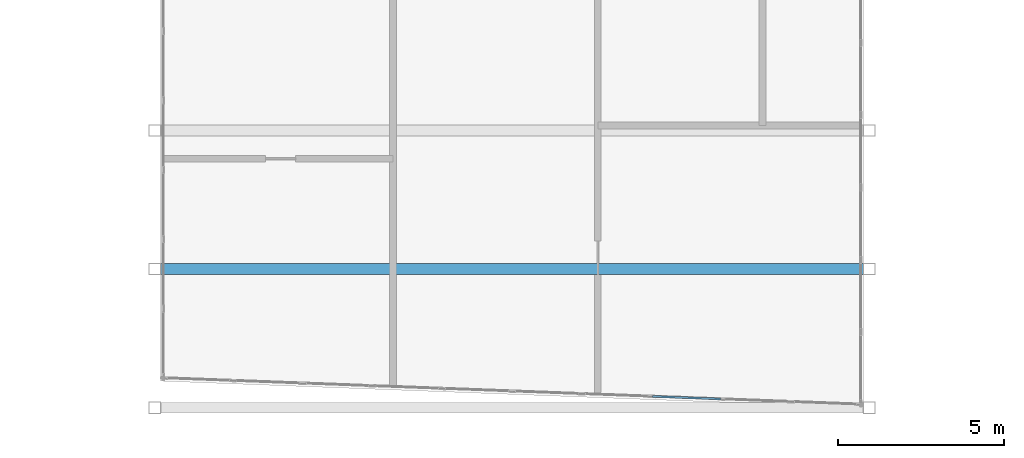
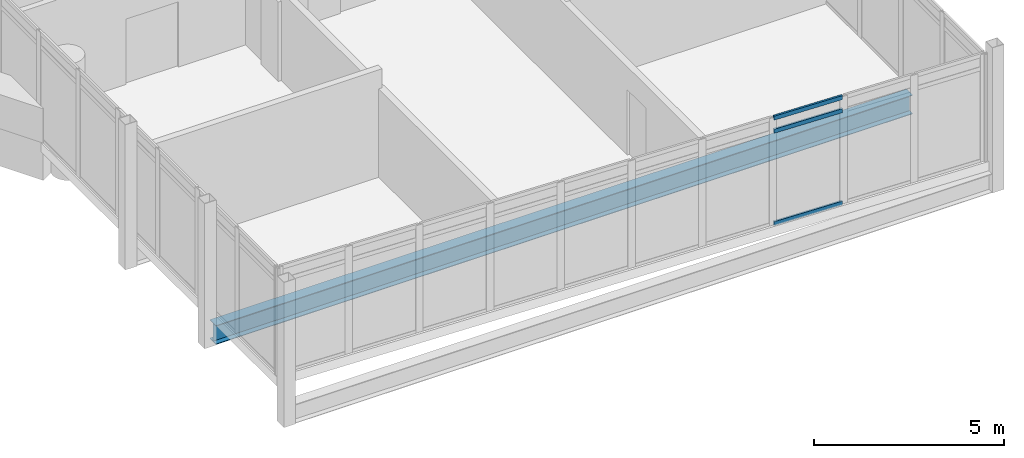
# One storey, part 5 of 25: 3 members, 1 beam, 1 element without a shape of its own.
"""IFC4 building model written with IfcOpenShell, lengths in metres."""

import ifcopenshell
import ifcopenshell.guid

model = None  # the IFC model being written
_history = None  # IfcOwnerHistory: only IFC2X3 demands one
_inside = {}  # id of a spatial element -> (the spatial element, [elements in it])
_under = {}  # id of a project, library or spatial element -> (it, [spatial elements below it])
_declared = {}  # id of a project -> (the project, [libraries it declares])
_typed = {}  # id of a type object -> (the type object, [elements of that type])
_made_of = {}  # id of a material, layer set ... -> (it, [elements and type objects made of it])


def new_model(schema):
    """Start an empty IFC model of exactly this schema.

    Asked for "IFC4X3", IfcOpenShell would pick the latest addendum, in which some entities
    have other attributes; the version numbers below select the first issue.
    IFC2X3 requires an IfcOwnerHistory on every rooted entity: one is made here for all.
    """
    global model, _history
    if schema == "IFC4X3":
        model = ifcopenshell.file(schema_version=(4, 3, 0, 0))
    else:
        model = ifcopenshell.file(schema=schema)
    _inside.clear()
    _under.clear()
    _declared.clear()
    _typed.clear()
    _made_of.clear()
    _history = None
    if model.schema == "IFC2X3":
        org = make("IfcOrganization", Name="unknown")
        user = make(
            "IfcPersonAndOrganization",
            ThePerson=make("IfcPerson", FamilyName="unknown"),
            TheOrganization=org,
        )
        app = make(
            "IfcApplication",
            ApplicationDeveloper=org,
            Version="unknown",
            ApplicationFullName="unknown",
            ApplicationIdentifier="unknown",
        )
        _history = make(
            "IfcOwnerHistory",
            OwningUser=user,
            OwningApplication=app,
            ChangeAction="ADDED",
            CreationDate=0,
        )
    return model


def make(cls, **values):
    """One entity of the class cls with the attributes given. An attribute that is None is left unset."""
    return model.create_entity(
        cls, **{name: value for name, value in values.items() if value is not None}
    )


def rooted(cls, **values):
    """An entity with a GlobalId (a new one), such as an element, a storey or a relation."""
    return make(cls, GlobalId=ifcopenshell.guid.new(), OwnerHistory=_history, **values)


def si_unit(unit_type, name, prefix=None):
    """IfcSIUnit, for example si_unit("LENGTHUNIT", "METRE", prefix="MILLI")."""
    return make("IfcSIUnit", UnitType=unit_type, Prefix=prefix, Name=name)


def assignment(units):
    """IfcUnitAssignment: the units of a project."""
    return None if units is None else make("IfcUnitAssignment", Units=units)


def point(xyz):
    """IfcCartesianPoint."""
    return None if xyz is None else make("IfcCartesianPoint", Coordinates=xyz)


def direction(xyz):
    """IfcDirection."""
    return None if xyz is None else make("IfcDirection", DirectionRatios=xyz)


def frame(location, z_axis=None, x_axis=None):
    """IfcAxis2Placement3D, a coordinate frame: its origin and axes. An axis left out is left unset."""
    return make(
        "IfcAxis2Placement3D",
        Location=point(location),
        Axis=direction(z_axis),
        RefDirection=direction(x_axis),
    )


def frame_2d(location, x_axis=None):
    """IfcAxis2Placement2D, a coordinate frame in the plane: its origin and x axis."""
    return make(
        "IfcAxis2Placement2D", Location=point(location), RefDirection=direction(x_axis)
    )


def origin():
    """The frame at (0, 0, 0) with its axes left unset."""
    return frame((0.0, 0.0, 0.0))


def origin_2d():
    """The frame at (0, 0) in the plane with its x axis left unset."""
    return frame_2d((0.0, 0.0))


def place(relative_to, where):
    """IfcLocalPlacement: puts the frame where relative to a parent placement (None: the world)."""
    return make(
        "IfcLocalPlacement", PlacementRelTo=relative_to, RelativePlacement=where
    )


def context(
    kind, dimensions, precision=None, world=None, true_north=None, identifier=None
):
    """IfcGeometricRepresentationContext, for example the 3D "Model" context."""
    return make(
        "IfcGeometricRepresentationContext",
        ContextIdentifier=identifier,
        ContextType=kind,
        CoordinateSpaceDimension=dimensions,
        Precision=precision,
        WorldCoordinateSystem=world,
        TrueNorth=true_north,
    )


def subcontext(parent, identifier, kind, view, scale=None):
    """IfcGeometricRepresentationSubContext, for example "Body" below "Model"."""
    return make(
        "IfcGeometricRepresentationSubContext",
        ContextIdentifier=identifier,
        ContextType=kind,
        ParentContext=parent,
        TargetScale=scale,
        TargetView=view,
    )


def project(units=None, contexts=None):
    """IfcProject with its units and contexts."""
    return rooted(
        "IfcProject",
        Name="project",
        RepresentationContexts=contexts,
        UnitsInContext=assignment(units),
    )


def spatial(cls, under=None, at=None, **own):
    """A site, building, storey or space (cls), placed at a placement, below another one or the project."""
    s = rooted(cls, ObjectPlacement=at, **own)
    if under is not None:
        _under.setdefault(under.id(), (under, []))[1].append(s)
    return s


def profile(cls, at=None, kind="AREA", **sizes):
    """A parametric profile (cls). Its sizes go by their IFC names, for example OverallWidth=200.0."""
    return make(cls, ProfileType=kind, Position=at, **sizes)


def hollow_rectangle(**sizes):
    """IfcRectangleHollowProfileDef."""
    return profile("IfcRectangleHollowProfileDef", **sizes)


def i_section(**sizes):
    """IfcIShapeProfileDef."""
    return profile("IfcIShapeProfileDef", **sizes)


def extrude(swept, where, along, depth):
    """IfcExtrudedAreaSolid: the profile swept, set in the frame where, extruded along a direction by depth."""
    return make(
        "IfcExtrudedAreaSolid",
        SweptArea=swept,
        Position=where,
        ExtrudedDirection=direction(along),
        Depth=depth,
    )


def shape(context_of_items, identifier, shape_type, items):
    """IfcShapeRepresentation: the items that make up one representation, for example the "Body"."""
    return make(
        "IfcShapeRepresentation",
        ContextOfItems=context_of_items,
        RepresentationIdentifier=identifier,
        RepresentationType=shape_type,
        Items=items,
    )


def material(Name=None, Category=None):
    """IfcMaterial."""
    return make("IfcMaterial", Name=Name, Category=Category)


def material_profile(
    of_material, cross_section, Name=None, Category=None, Priority=None
):
    """IfcMaterialProfile: a cross section and its material."""
    return make(
        "IfcMaterialProfile",
        Name=Name,
        Material=of_material,
        Profile=cross_section,
        Priority=Priority,
        Category=Category,
    )


def profile_set(profiles, Name=None, composite=None):
    """IfcMaterialProfileSet."""
    return make(
        "IfcMaterialProfileSet",
        Name=Name,
        MaterialProfiles=profiles,
        CompositeProfile=composite,
    )


def made_of(thing, what):
    """Note that an element or type object is made of a material, layer set ...; save() writes the relation."""
    if what is not None:
        _made_of.setdefault(what.id(), (what, []))[1].append(thing)
    return thing


def type_object(cls, material=None, **own):
    """A type object (cls), such as IfcWallType, which elements share."""
    return made_of(rooted(cls, **own), material)


def element(
    cls,
    number,
    at=None,
    inside=None,
    cuts=None,
    type_object=None,
    material=None,
    context=None,
    identifier="Body",
    shape_type=None,
    held_by="IfcProductDefinitionShape",
    body=None,
    shapes=None,
    **own,
):
    """One element of the class cls, such as IfcWall. Its Tag is "e" and its number.

    at: its placement. inside: the storey or other place that contains it. cuts: it is an
    opening in that element (IfcRelVoidsElement). A single representation is given by context,
    identifier, shape_type and body (its items); several are given by shapes. held_by: the class
    of the entity that holds the representations. save() writes the other relations.
    """
    e = rooted(cls, Tag="e%d" % number, ObjectPlacement=at, **own)
    if body is not None:
        shapes = [shape(context, identifier, shape_type, body)]
    if shapes is not None:
        e.Representation = make(held_by, Representations=shapes)
    if inside is not None:
        _inside.setdefault(inside.id(), (inside, []))[1].append(e)
    if cuts is not None:
        rooted(
            "IfcRelVoidsElement", RelatingBuildingElement=cuts, RelatedOpeningElement=e
        )
    if type_object is not None:
        _typed.setdefault(type_object.id(), (type_object, []))[1].append(e)
    return made_of(e, material)


def aggregate(whole, parts):
    """IfcRelAggregates: a whole, such as a stair, and the parts it consists of."""
    return rooted("IfcRelAggregates", RelatingObject=whole, RelatedObjects=parts)


def save(model, path):
    """Write the relations noted so far, then the file.

    IfcRelAggregates (storeys below a building ...), IfcRelContainedInSpatialStructure (elements
    in a storey), IfcRelDefinesByType, IfcRelAssociatesMaterial and IfcRelDeclares: one each for
    every whole, place, type object, material and project.
    """
    for whole, parts in _under.values():
        aggregate(whole, parts)
    for where, things in _inside.values():
        rooted(
            "IfcRelContainedInSpatialStructure",
            RelatedElements=things,
            RelatingStructure=where,
        )
    for kind, things in _typed.values():
        rooted("IfcRelDefinesByType", RelatedObjects=things, RelatingType=kind)
    for what, things in _made_of.values():
        rooted("IfcRelAssociatesMaterial", RelatedObjects=things, RelatingMaterial=what)
    for by, libraries in _declared.values():
        rooted("IfcRelDeclares", RelatingContext=by, RelatedDefinitions=libraries)
    model.write(path)


model = new_model("IFC4")

# Units and contexts
model_context = context("Model", 3, precision=1e-05, world=origin(), true_north=direction((0.0, 1.0)))
body_context = subcontext(model_context, "Body", "Model", "MODEL_VIEW")
ifc_project = project(units=[si_unit("LENGTHUNIT", "METRE"), si_unit("AREAUNIT", "SQUARE_METRE"), si_unit("VOLUMEUNIT", "CUBIC_METRE"), si_unit("PLANEANGLEUNIT", "RADIAN"), si_unit("MASSUNIT", "GRAM", prefix="KILO")], contexts=[model_context])

# Site, building, storey
site_placement = place(None, origin())
site = spatial("IfcSite", under=ifc_project, at=site_placement, CompositionType="ELEMENT")
building_placement = place(site_placement, origin())
building = spatial("IfcBuilding", under=site, at=building_placement, Name="Ostrander Bayou Hotel Tower", CompositionType="ELEMENT")
storey_placement = place(building_placement, frame((0.0, 0.0, 233.25)))
storey = spatial("IfcBuildingStorey", under=building, at=storey_placement, Name="L58", CompositionType="ELEMENT", Elevation=233.25)

# Curtain wall, members
ifc_material_1 = material(Name="Aluminium and clear glass", Category="aluminium")
curtain_wall_type = type_object("IfcCurtainWallType", Name="CW-BAR glazed wall", PredefinedType="NOTDEFINED", material=ifc_material_1)
curtain_wall_placement = place(storey_placement, origin())
curtain_wall = element("IfcCurtainWall", 1, at=curtain_wall_placement, inside=storey, type_object=curtain_wall_type, Name="CW-BAR L58:SB5S:T", PredefinedType="NOTDEFINED")
ifc_material_2 = material(Name="Aluminium", Category="aluminium")
ifc_material_profile_1 = material_profile(ifc_material_2, hollow_rectangle(XDim=0.06005859375, YDim=0.1298828125, WallThickness=0.00390625, at=origin_2d()))
ifc_profile_set_1 = profile_set([ifc_material_profile_1], Name="Aluminium")
member_type = type_object("IfcMemberType", Name="CW-BR transom 60 x 130 mm", PredefinedType="USERDEFINED", material=ifc_profile_set_1)
member_1_placement = place(storey_placement, frame((4.23486328125, -29.159912109375, 0.030029296875), z_axis=(0.99928289053, -0.037864293127, 0.0), x_axis=(0.037864293127, 0.99928289053, 0.0)))
member_1 = element("IfcMember", 2, at=member_1_placement, type_object=member_type, Name="CW-BAR transom 8.1", ObjectType="TRANSOM", PredefinedType="USERDEFINED", context=body_context, shape_type="SweptSolid", body=[
    extrude(hollow_rectangle(XDim=0.06005859375, YDim=0.1298828125, WallThickness=0.00390625, at=origin_2d()), origin(), (0.0, 0.0, 1.0), 2.0439453125),
])
member_2_placement = place(storey_placement, frame((4.23486328125, -29.159912109375, 3.0), z_axis=(0.99928289053, -0.037864293127, 0.0), x_axis=(0.037864293127, 0.99928289053, 0.0)))
member_2 = element("IfcMember", 3, at=member_2_placement, type_object=member_type, Name="CW-BAR transom 8.2", ObjectType="TRANSOM", PredefinedType="USERDEFINED", context=body_context, shape_type="SweptSolid", body=[
    extrude(hollow_rectangle(XDim=0.06005859375, YDim=0.1298828125, WallThickness=0.00390625, at=origin_2d()), origin(), (0.0, 0.0, 1.0), 2.0439453125),
])
member_3_placement = place(storey_placement, frame((4.23486328125, -29.159912109375, 3.419921875), z_axis=(0.99928289053, -0.037864293127, 0.0), x_axis=(0.037864293127, 0.99928289053, 0.0)))
member_3 = element("IfcMember", 4, at=member_3_placement, type_object=member_type, Name="CW-BAR transom 8.3", ObjectType="TRANSOM", PredefinedType="USERDEFINED", context=body_context, shape_type="SweptSolid", body=[
    extrude(hollow_rectangle(XDim=0.06005859375, YDim=0.1298828125, WallThickness=0.00390625, at=origin_2d()), origin(), (0.0, 0.0, 1.0), 2.0439453125),
])
aggregate(curtain_wall, [member_1, member_2, member_3])

# Beam
ifc_material_3 = material(Name="Steel ASTM A992", Category="steel")
ifc_material_profile_2 = material_profile(ifc_material_3, i_section(OverallWidth=0.32373046875, OverallDepth=0.611083984375, WebThickness=0.0126953125, FlangeThickness=0.01904296875, at=origin_2d()))
ifc_profile_set_2 = profile_set([ifc_material_profile_2], Name="Steel ASTM A992")
beam_type = type_object("IfcBeamType", Name="TF2 bar floor beam W24x104", PredefinedType="BEAM", material=ifc_profile_set_2)
beam_placement = place(storey_placement, frame((-10.587158203125, -25.32373046875, -0.605712890625), z_axis=(1.0, 0.0, 0.0), x_axis=(0.0, 1.0, 0.0)))
element("IfcBeam", 5, at=beam_placement, inside=storey, type_object=beam_type, Name="TF2 SB5S L4-2", PredefinedType="BEAM", context=body_context, shape_type="SweptSolid", body=[
    extrude(i_section(OverallWidth=0.32373046875, OverallDepth=0.611083984375, WebThickness=0.0126953125, FlangeThickness=0.01904296875, at=origin_2d()), origin(), (0.0, 0.0, 1.0), 21.17431640625),
])

save(model, "model.ifc")
